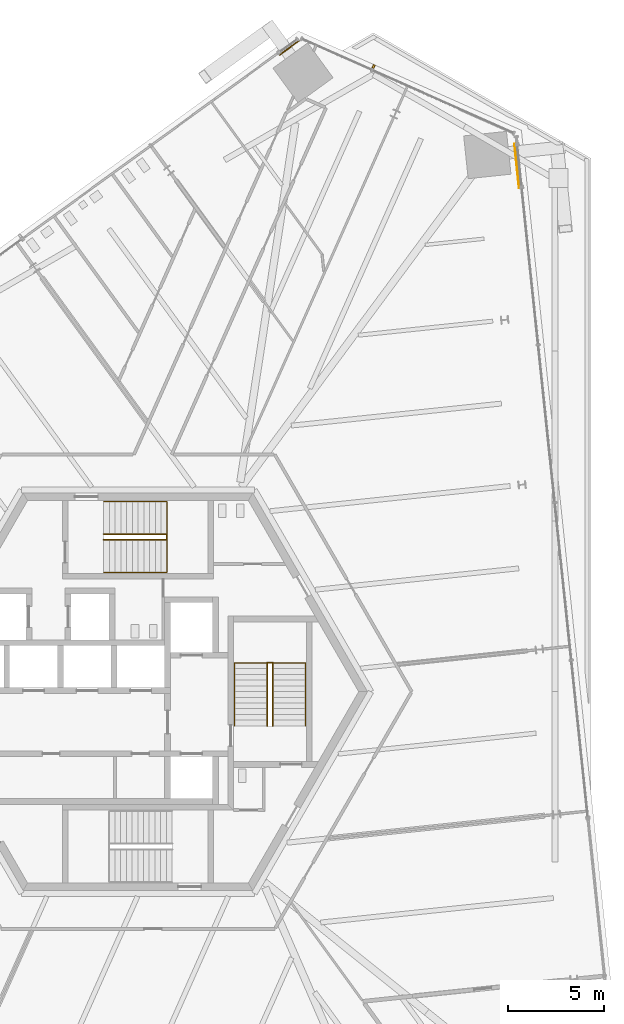
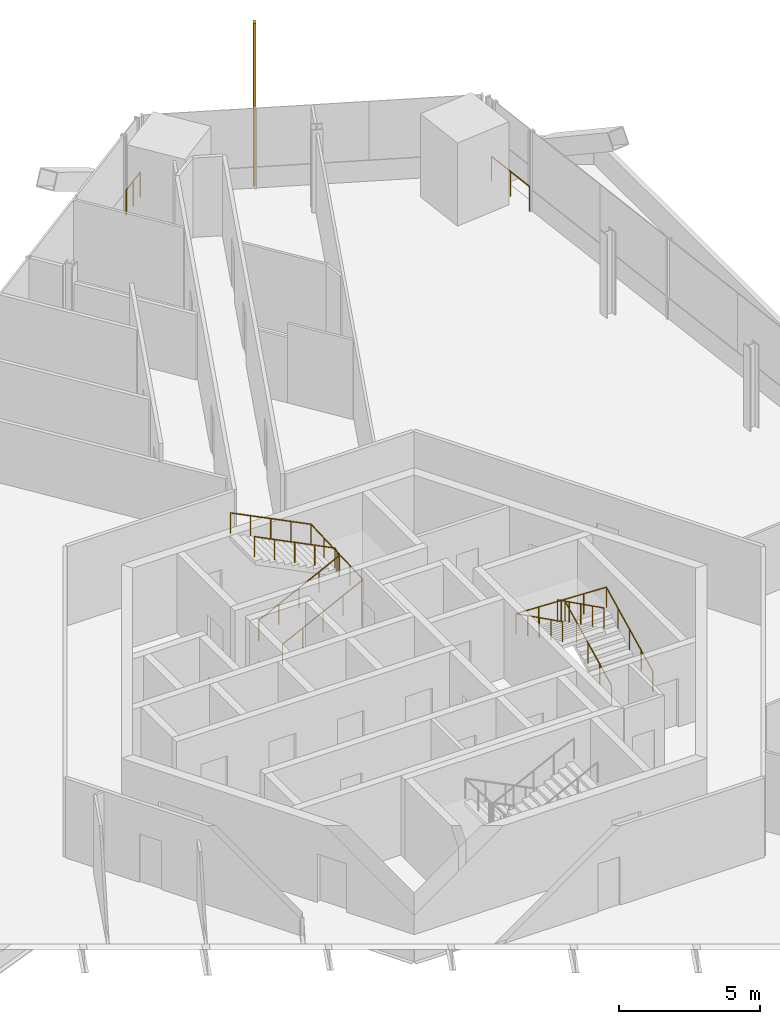
# One storey, part 23 of 24: 6 railings, 1 shading device.
"""IFC4 building model written with IfcOpenShell, lengths in metres."""

from ifc_helpers import new_model, si_unit, direction, frame, origin, origin_2d, place, context, subcontext, project, spatial, rectangle, circle, extrude, source, transform, mapped, material, type_object, element, save


model = new_model("IFC4")

# Units and contexts
model_context = context("Model", 3, precision=1e-05, world=origin(), true_north=direction((0.0, 1.0)))
body_context = subcontext(model_context, "Body", "Model", "MODEL_VIEW")
ifc_project = project(units=[si_unit("LENGTHUNIT", "METRE"), si_unit("AREAUNIT", "SQUARE_METRE"), si_unit("VOLUMEUNIT", "CUBIC_METRE"), si_unit("PLANEANGLEUNIT", "RADIAN"), si_unit("MASSUNIT", "GRAM", prefix="KILO")], contexts=[model_context])

# Site, building, storey
site_placement = place(None, origin())
site = spatial("IfcSite", under=ifc_project, at=site_placement, CompositionType="ELEMENT")
building_placement = place(site_placement, origin())
building = spatial("IfcBuilding", under=site, at=building_placement, Name="Triune Harvest Tower", CompositionType="ELEMENT")
storey_placement = place(building_placement, frame((0.0, 0.0, 58.5)))
storey = spatial("IfcBuildingStorey", under=building, at=storey_placement, Name="L13", CompositionType="ELEMENT", Elevation=58.5)

# Railings
ifc_material_1 = material(Name="Glass", Category="glass")
railing_type_1 = type_object("IfcRailingType", Name="GD-3 facade guard 1100", PredefinedType="GUARDRAIL", material=ifc_material_1)
railing_1_placement = place(storey_placement, frame((19.930908203125, 26.328857421875, 0.0)))
element("IfcRailing", 1, at=railing_1_placement, inside=storey, type_object=railing_type_1, Name="Facade guard B2-F1 L13.1.2", PredefinedType="GUARDRAIL", context=body_context, shape_type="SweptSolid", body=[
    extrude(circle(Radius=0.02392578125, at=origin_2d()), frame((0.0, 0.0, 1.076171875), z_axis=(-0.104519578261, 0.99452282918, 0.0), x_axis=(-0.99452282918, -0.104519578261, 0.0)), (0.0, 0.0, 1.0), 2.307861328125),
    extrude(circle(Radius=0.02099609375, at=origin_2d()), origin(), (0.0, 0.0, 1.0), 1.052001953125),
    extrude(circle(Radius=0.02099609375, at=origin_2d()), frame((-0.12060546875, 1.1474609375, 0.0)), (0.0, 0.0, 1.0), 1.052001953125),
    extrude(circle(Radius=0.02099609375, at=origin_2d()), frame((-0.2412109375, 2.295166015625, 0.0)), (0.0, 0.0, 1.0), 1.052001953125),
])
railing_2_placement = place(storey_placement, frame((8.401611328125, 34.0068359375, 0.0)))
element("IfcRailing", 2, at=railing_2_placement, inside=storey, type_object=railing_type_1, Name="Facade guard B2-F3 L13.1.1", PredefinedType="GUARDRAIL", context=body_context, shape_type="SweptSolid", body=[
    extrude(circle(Radius=0.02392578125, at=origin_2d()), frame((0.0, 0.0, 1.076171875), z_axis=(-0.809021190587, -0.587779476659, 0.0), x_axis=(0.587779476659, -0.809021190587, 0.0)), (0.0, 0.0, 1.0), 1.2216796875),
    extrude(circle(Radius=0.02099609375, at=origin_2d()), origin(), (0.0, 0.0, 1.0), 1.052001953125),
    extrude(circle(Radius=0.02099609375, at=origin_2d()), frame((-0.494140625, -0.35888671875, 0.0)), (0.0, 0.0, 1.0), 1.052001953125),
    extrude(circle(Radius=0.02099609375, at=origin_2d()), frame((-0.98828125, -0.718017578125, 0.0)), (0.0, 0.0, 1.0), 1.052001953125),
])
ifc_material_2 = material(Name="Stainless steel AISI 316", Category="steel")
railing_type_2 = type_object("IfcRailingType", Name="Stair handrail", PredefinedType="HANDRAIL", material=ifc_material_2)
shared_shape_1 = source(origin(), body_context, "Body", "SweptSolid", [
    extrude(circle(Radius=0.02392578125, at=origin_2d()), frame((0.0, 0.0, 0.8759765625), z_axis=(0.894413956696, 0.0, 0.447240063129), x_axis=(0.0, 1.0, 0.0)), (0.0, 0.0, 1.0), 3.689697265625),
    extrude(circle(Radius=0.02392578125, at=origin_2d()), frame((3.300048828125, 0.0, 2.52587890625), z_axis=(0.0, 0.999180289278, 0.040481471304), x_axis=(-1.0, 0.0, 0.0)), (0.0, 0.0, 1.0), 3.702880859375),
    extrude(circle(Radius=0.02392578125, at=origin_2d()), frame((3.300048828125, 3.699951171875, 2.67578125), z_axis=(-0.894413956696, 0.0, 0.447240063129), x_axis=(0.0, -1.0, 0.0)), (0.0, 0.0, 1.0), 3.689697265625),
    extrude(circle(Radius=0.02099609375, at=origin_2d()), origin(), (0.0, 0.0, 1.0), 0.851806640625),
    extrude(circle(Radius=0.02099609375, at=origin_2d()), frame((0.824951171875, 0.0, 0.41259765625)), (0.0, 0.0, 1.0), 0.851806640625),
    extrude(circle(Radius=0.02099609375, at=origin_2d()), frame((1.64990234375, 0.0, 0.8251953125)), (0.0, 0.0, 1.0), 0.851806640625),
    extrude(circle(Radius=0.02099609375, at=origin_2d()), frame((2.47509765625, 0.0, 1.237548828125)), (0.0, 0.0, 1.0), 0.851806640625),
    extrude(circle(Radius=0.02099609375, at=origin_2d()), frame((3.300048828125, 0.0, 1.650146484375)), (0.0, 0.0, 1.0), 0.851806640625),
    extrude(circle(Radius=0.02099609375, at=origin_2d()), frame((3.300048828125, 0.925048828125, 1.6875)), (0.0, 0.0, 1.0), 0.851806640625),
    extrude(circle(Radius=0.02099609375, at=origin_2d()), frame((3.300048828125, 1.85009765625, 1.72509765625)), (0.0, 0.0, 1.0), 0.851806640625),
    extrude(circle(Radius=0.02099609375, at=origin_2d()), frame((3.300048828125, 2.77490234375, 1.7626953125)), (0.0, 0.0, 1.0), 0.851806640625),
    extrude(circle(Radius=0.02099609375, at=origin_2d()), frame((3.300048828125, 3.699951171875, 1.800048828125)), (0.0, 0.0, 1.0), 0.851806640625),
    extrude(circle(Radius=0.02099609375, at=origin_2d()), frame((2.47509765625, 3.699951171875, 2.212646484375)), (0.0, 0.0, 1.0), 0.851806640625),
    extrude(circle(Radius=0.02099609375, at=origin_2d()), frame((1.64990234375, 3.699951171875, 2.625)), (0.0, 0.0, 1.0), 0.851806640625),
    extrude(circle(Radius=0.02099609375, at=origin_2d()), frame((0.824951171875, 3.699951171875, 3.03759765625)), (0.0, 0.0, 1.0), 0.851806640625),
    extrude(circle(Radius=0.02099609375, at=origin_2d()), frame((0.0, 3.699951171875, 3.4501953125)), (0.0, 0.0, 1.0), 0.851806640625),
])
railing_3_placement = place(storey_placement, frame((-1.7900390625, 6.239990234375, 0.14990234375)))
element("IfcRailing", 3, at=railing_3_placement, inside=storey, type_object=railing_type_2, Name="Exit stair north wall handrail", PredefinedType="HANDRAIL", context=body_context, shape_type="MappedRepresentation", body=[
    mapped(shared_shape_1, transform((0.0, 0.0, 0.0), scale=1.0)),
])
shared_shape_2 = source(origin(), body_context, "Body", "SweptSolid", [
    extrude(circle(Radius=0.02392578125, at=origin_2d()), frame((0.0, 0.0, 0.8759765625), z_axis=(0.894413956696, 0.0, 0.447240063129), x_axis=(0.0, 1.0, 0.0)), (0.0, 0.0, 1.0), 3.689697265625),
    extrude(circle(Radius=0.02392578125, at=origin_2d()), frame((3.300048828125, 0.0, 2.52587890625), z_axis=(0.0, 0.894572720946, 0.446922417137), x_axis=(-1.0, 0.0, 0.0)), (0.0, 0.0, 1.0), 0.33544921875),
    extrude(circle(Radius=0.02392578125, at=origin_2d()), frame((3.300048828125, 0.300048828125, 2.67578125), z_axis=(-0.894413956696, 0.0, 0.447240063129), x_axis=(0.0, -1.0, 0.0)), (0.0, 0.0, 1.0), 3.689697265625),
    extrude(circle(Radius=0.02099609375, at=origin_2d()), origin(), (0.0, 0.0, 1.0), 0.851806640625),
    extrude(circle(Radius=0.02099609375, at=origin_2d()), frame((0.824951171875, 0.0, 0.41259765625)), (0.0, 0.0, 1.0), 0.851806640625),
    extrude(circle(Radius=0.02099609375, at=origin_2d()), frame((1.64990234375, 0.0, 0.8251953125)), (0.0, 0.0, 1.0), 0.851806640625),
    extrude(circle(Radius=0.02099609375, at=origin_2d()), frame((2.47509765625, 0.0, 1.237548828125)), (0.0, 0.0, 1.0), 0.851806640625),
    extrude(circle(Radius=0.02099609375, at=origin_2d()), frame((3.300048828125, 0.0, 1.650146484375)), (0.0, 0.0, 1.0), 0.851806640625),
    extrude(circle(Radius=0.02099609375, at=origin_2d()), frame((3.300048828125, 0.300048828125, 1.800048828125)), (0.0, 0.0, 1.0), 0.851806640625),
    extrude(circle(Radius=0.02099609375, at=origin_2d()), frame((2.47509765625, 0.300048828125, 2.212646484375)), (0.0, 0.0, 1.0), 0.851806640625),
    extrude(circle(Radius=0.02099609375, at=origin_2d()), frame((1.64990234375, 0.300048828125, 2.625)), (0.0, 0.0, 1.0), 0.851806640625),
    extrude(circle(Radius=0.02099609375, at=origin_2d()), frame((0.824951171875, 0.300048828125, 3.03759765625)), (0.0, 0.0, 1.0), 0.851806640625),
    extrude(circle(Radius=0.02099609375, at=origin_2d()), frame((0.0, 0.300048828125, 3.4501953125)), (0.0, 0.0, 1.0), 0.851806640625),
])
railing_4_placement = place(storey_placement, frame((-1.7900390625, 7.93994140625, 0.14990234375)))
element("IfcRailing", 4, at=railing_4_placement, inside=storey, type_object=railing_type_2, Name="Exit stair north centre handrail", PredefinedType="HANDRAIL", context=body_context, shape_type="MappedRepresentation", body=[
    mapped(shared_shape_2, transform((0.0, 0.0, 0.0), scale=1.0)),
])
shared_shape_3 = source(origin(), body_context, "Body", "SweptSolid", [
    extrude(circle(Radius=0.02392578125, at=origin_2d()), frame((0.0, 0.0, 0.8759765625), z_axis=(0.0, 0.894413956696, 0.447240063129), x_axis=(-1.0, 0.0, 0.0)), (0.0, 0.0, 1.0), 3.689697265625),
    extrude(circle(Radius=0.02392578125, at=origin_2d()), frame((0.0, 3.300048828125, 2.52587890625), z_axis=(-0.999180289278, 0.0, 0.040481471304), x_axis=(0.0, -1.0, 0.0)), (0.0, 0.0, 1.0), 3.702880859375),
    extrude(circle(Radius=0.02392578125, at=origin_2d()), frame((-3.699951171875, 3.300048828125, 2.67578125), z_axis=(0.0, -0.894413956696, 0.447240063129), x_axis=(1.0, 0.0, 0.0)), (0.0, 0.0, 1.0), 3.689697265625),
    extrude(circle(Radius=0.02099609375, at=origin_2d()), origin(), (0.0, 0.0, 1.0), 0.851806640625),
    extrude(circle(Radius=0.02099609375, at=origin_2d()), frame((0.0, 0.824951171875, 0.41259765625)), (0.0, 0.0, 1.0), 0.851806640625),
    extrude(circle(Radius=0.02099609375, at=origin_2d()), frame((0.0, 1.64990234375, 0.8251953125)), (0.0, 0.0, 1.0), 0.851806640625),
    extrude(circle(Radius=0.02099609375, at=origin_2d()), frame((0.0, 2.47509765625, 1.237548828125)), (0.0, 0.0, 1.0), 0.851806640625),
    extrude(circle(Radius=0.02099609375, at=origin_2d()), frame((0.0, 3.300048828125, 1.650146484375)), (0.0, 0.0, 1.0), 0.851806640625),
    extrude(circle(Radius=0.02099609375, at=origin_2d()), frame((-0.925048828125, 3.300048828125, 1.6875)), (0.0, 0.0, 1.0), 0.851806640625),
    extrude(circle(Radius=0.02099609375, at=origin_2d()), frame((-1.85009765625, 3.300048828125, 1.72509765625)), (0.0, 0.0, 1.0), 0.851806640625),
    extrude(circle(Radius=0.02099609375, at=origin_2d()), frame((-2.77490234375, 3.300048828125, 1.7626953125)), (0.0, 0.0, 1.0), 0.851806640625),
    extrude(circle(Radius=0.02099609375, at=origin_2d()), frame((-3.699951171875, 3.300048828125, 1.800048828125)), (0.0, 0.0, 1.0), 0.851806640625),
    extrude(circle(Radius=0.02099609375, at=origin_2d()), frame((-3.699951171875, 2.47509765625, 2.212646484375)), (0.0, 0.0, 1.0), 0.851806640625),
    extrude(circle(Radius=0.02099609375, at=origin_2d()), frame((-3.699951171875, 1.64990234375, 2.625)), (0.0, 0.0, 1.0), 0.851806640625),
    extrude(circle(Radius=0.02099609375, at=origin_2d()), frame((-3.699951171875, 0.824951171875, 3.03759765625)), (0.0, 0.0, 1.0), 0.851806640625),
    extrude(circle(Radius=0.02099609375, at=origin_2d()), frame((-3.699951171875, 0.0, 3.4501953125)), (0.0, 0.0, 1.0), 0.851806640625),
])
railing_5_placement = place(storey_placement, frame((8.75, -1.7900390625, 0.14990234375)))
element("IfcRailing", 5, at=railing_5_placement, inside=storey, type_object=railing_type_2, Name="Exit stair east wall handrail", PredefinedType="HANDRAIL", context=body_context, shape_type="MappedRepresentation", body=[
    mapped(shared_shape_3, transform((0.0, 0.0, 0.0), scale=1.0)),
])
shared_shape_4 = source(origin(), body_context, "Body", "SweptSolid", [
    extrude(circle(Radius=0.02392578125, at=origin_2d()), frame((0.0, 0.0, 0.8759765625), z_axis=(0.0, 0.894413956696, 0.447240063129), x_axis=(-1.0, 0.0, 0.0)), (0.0, 0.0, 1.0), 3.689697265625),
    extrude(circle(Radius=0.02392578125, at=origin_2d()), frame((0.0, 3.300048828125, 2.52587890625), z_axis=(-0.894572720946, 0.0, 0.446922417137), x_axis=(0.0, -1.0, 0.0)), (0.0, 0.0, 1.0), 0.33544921875),
    extrude(circle(Radius=0.02392578125, at=origin_2d()), frame((-0.300048828125, 3.300048828125, 2.67578125), z_axis=(0.0, -0.894413956696, 0.447240063129), x_axis=(1.0, 0.0, 0.0)), (0.0, 0.0, 1.0), 3.689697265625),
    extrude(circle(Radius=0.02099609375, at=origin_2d()), origin(), (0.0, 0.0, 1.0), 0.851806640625),
    extrude(circle(Radius=0.02099609375, at=origin_2d()), frame((0.0, 0.824951171875, 0.41259765625)), (0.0, 0.0, 1.0), 0.851806640625),
    extrude(circle(Radius=0.02099609375, at=origin_2d()), frame((0.0, 1.64990234375, 0.8251953125)), (0.0, 0.0, 1.0), 0.851806640625),
    extrude(circle(Radius=0.02099609375, at=origin_2d()), frame((0.0, 2.47509765625, 1.237548828125)), (0.0, 0.0, 1.0), 0.851806640625),
    extrude(circle(Radius=0.02099609375, at=origin_2d()), frame((0.0, 3.300048828125, 1.650146484375)), (0.0, 0.0, 1.0), 0.851806640625),
    extrude(circle(Radius=0.02099609375, at=origin_2d()), frame((-0.300048828125, 3.300048828125, 1.800048828125)), (0.0, 0.0, 1.0), 0.851806640625),
    extrude(circle(Radius=0.02099609375, at=origin_2d()), frame((-0.300048828125, 2.47509765625, 2.212646484375)), (0.0, 0.0, 1.0), 0.851806640625),
    extrude(circle(Radius=0.02099609375, at=origin_2d()), frame((-0.300048828125, 1.64990234375, 2.625)), (0.0, 0.0, 1.0), 0.851806640625),
    extrude(circle(Radius=0.02099609375, at=origin_2d()), frame((-0.300048828125, 0.824951171875, 3.03759765625)), (0.0, 0.0, 1.0), 0.851806640625),
    extrude(circle(Radius=0.02099609375, at=origin_2d()), frame((-0.300048828125, 0.0, 3.4501953125)), (0.0, 0.0, 1.0), 0.851806640625),
])
railing_6_placement = place(storey_placement, frame((7.050048828125, -1.7900390625, 0.14990234375)))
element("IfcRailing", 6, at=railing_6_placement, inside=storey, type_object=railing_type_2, Name="Exit stair east centre handrail", PredefinedType="HANDRAIL", context=body_context, shape_type="MappedRepresentation", body=[
    mapped(shared_shape_4, transform((0.0, 0.0, 0.0), scale=1.0)),
])

# Shading device
ifc_material_3 = material(Name="Aluminium bronze anodised", Category="aluminium")
shared_shape_5 = source(origin(), body_context, "Body", "SweptSolid", [
    extrude(rectangle(XDim=0.10009765625, YDim=0.199951171875, at=origin_2d()), origin(), (0.0, 0.0, 1.0), 7.0400390625),
])
shading_device_placement = place(storey_placement, frame((12.31689453125, 32.67138671875, 0.0), z_axis=(0.0, 0.0, 1.0), x_axis=(-0.913546644034, 0.406733978386, 0.0)))
element("IfcShadingDevice", 7, at=shading_device_placement, inside=storey, material=ifc_material_3, Name="FN-1 fin B2-F2.3 L13", ObjectType="FIN", PredefinedType="USERDEFINED", context=body_context, shape_type="MappedRepresentation", body=[
    mapped(shared_shape_5, transform((0.0, 0.0, 0.0), scale=1.0)),
])

save(model, "model.ifc")
